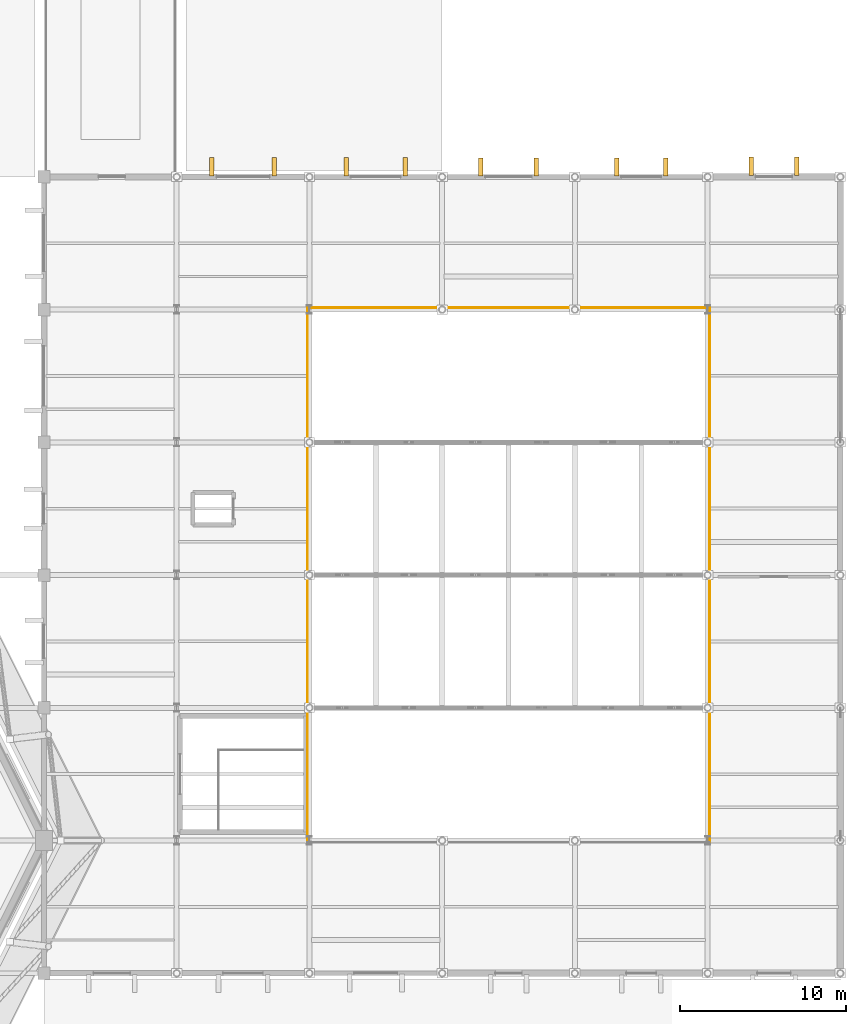
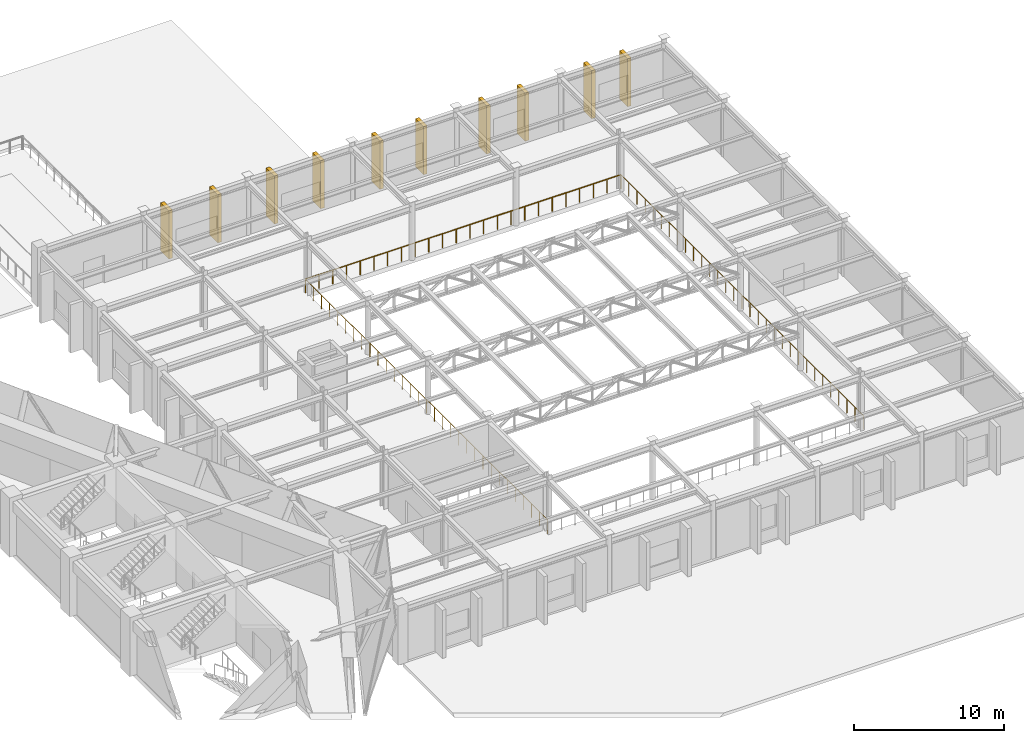
# One storey, part 46 of 46: 10 coverings, 3 railings.
"""IFC4 building model written with IfcOpenShell, lengths in metres."""

from ifc_helpers import new_model, si_unit, direction, frame, origin, origin_2d, place, context, subcontext, project, spatial, rectangle, circle, extrude, material, layer, layer_set, type_object, element, save


model = new_model("IFC4")

# Units and contexts
model_context = context("Model", 3, precision=1e-05, world=origin(), true_north=direction((0.0, 1.0)))
body_context = subcontext(model_context, "Body", "Model", "MODEL_VIEW")
ifc_project = project(units=[si_unit("LENGTHUNIT", "METRE"), si_unit("AREAUNIT", "SQUARE_METRE"), si_unit("VOLUMEUNIT", "CUBIC_METRE"), si_unit("PLANEANGLEUNIT", "RADIAN"), si_unit("MASSUNIT", "GRAM", prefix="KILO")], contexts=[model_context])

# Site, building, storey
site_placement = place(None, origin())
site = spatial("IfcSite", under=ifc_project, at=site_placement, CompositionType="ELEMENT")
building_placement = place(site_placement, origin())
building = spatial("IfcBuilding", under=site, at=building_placement, Name="Tazarka Park Arena", CompositionType="ELEMENT")
storey_placement = place(building_placement, frame((0.0, 0.0, 10.199951171875)))
storey = spatial("IfcBuildingStorey", under=building, at=storey_placement, Name="L02", CompositionType="ELEMENT", Elevation=10.199951171875)

# Coverings
ifc_material_1 = material(Name="Dark ribbed perforated bronze-charcoal aluminium mesh", Category="aluminium")
ifc_layer = layer(ifc_material_1, 0.06005859375, Name="Dark ribbed perforated bronze-charcoal aluminium mesh")
ifc_layer_set = layer_set([ifc_layer], Name="Dark ribbed perforated bronze-charcoal aluminium mesh")
covering_type = type_object("IfcCoveringType", Name="CLD-01", PredefinedType="CLADDING", material=ifc_layer_set)
for number, where, z_axis, x_axis, name in (
    (1, (178.6201171875, 104.639892578125, 0.0), (0.0, 0.0, 1.0), (1.0, 0.0, 0.0), "Window Reveal Brise-Soleil Fin L02-0046-1"),
    (2, (181.3798828125, 104.639892578125, 0.0), (0.0, 0.0, 1.0), (1.0, 0.0, 0.0), "Window Reveal Brise-Soleil Fin L02-0046-2"),
    (3, (170.52001953125, 104.590087890625, 0.0), (0.0, 0.0, 1.0), (1.0, 0.0, 0.0), "Window Reveal Brise-Soleil Fin L02-0047-1"),
    (4, (173.47998046875, 104.590087890625, 0.0), (0.0, 0.0, 1.0), (1.0, 0.0, 0.0), "Window Reveal Brise-Soleil Fin L02-0047-2"),
    (5, (162.320068359375, 104.594970703125, 0.0), (0.0, 0.0, 1.0), (1.0, 0.0, 0.0), "Window Reveal Brise-Soleil Fin L02-0048-1"),
    (6, (165.679931640625, 104.594970703125, 0.0), (0.0, 0.0, 1.0), (1.0, 0.0, 0.0), "Window Reveal Brise-Soleil Fin L02-0048-2"),
    (7, (154.219970703125, 104.60498046875, 0.0), (0.0, 0.0, 1.0), (1.0, 0.0, 0.0), "Window Reveal Brise-Soleil Fin L02-0049-1"),
    (8, (157.780029296875, 104.60498046875, 0.0), (0.0, 0.0, 1.0), (1.0, 0.0, 0.0), "Window Reveal Brise-Soleil Fin L02-0049-2"),
    (9, (146.1201171875, 104.614990234375, 0.0), (0.0, 0.0, 1.0), (1.0, 0.0, 0.0), "Window Reveal Brise-Soleil Fin L02-0050-1"),
    (10, (149.8798828125, 104.614990234375, 0.0), (0.0, 0.0, 1.0), (1.0, 0.0, 0.0), "Window Reveal Brise-Soleil Fin L02-0050-2"),
):
    element("IfcCovering", number, at=place(storey_placement, frame(where, z_axis=z_axis, x_axis=x_axis)), inside=storey, type_object=covering_type, Name=name, PredefinedType="CLADDING", context=body_context, shape_type="SweptSolid", body=[
        extrude(rectangle(XDim=0.280029296875, YDim=1.10009765625, at=origin_2d()), origin(), (0.0, 0.0, 1.0), 3.909912109375),
    ])

# Railings
ifc_material_2 = material(Name="Galvanised powder-coated architectural steel", Category="steel")
railing_type = type_object("IfcRailingType", Name="IGR-01", PredefinedType="GUARDRAIL", material=ifc_material_2)
railing_1_placement = place(storey_placement, frame((176.1201171875, 63.8798828125, 0.0)))
element("IfcRailing", 11, at=railing_1_placement, inside=storey, type_object=railing_type, Name="Interior Barrier Guardrail IGR-01-028", PredefinedType="GUARDRAIL", context=body_context, shape_type="SweptSolid", body=[
    extrude(circle(Radius=0.02392578125, at=origin_2d()), frame((0.0, 0.0, 1.1259765625), z_axis=(0.0, 1.0, 0.0), x_axis=(-1.0, 0.0, 0.0)), (0.0, 0.0, 1.0), 32.240234375),
    extrude(circle(Radius=0.02099609375, at=origin_2d()), origin(), (0.0, 0.0, 1.0), 1.101806640625),
    extrude(circle(Radius=0.02099609375, at=origin_2d()), frame((0.0, 1.07470703125, 0.0)), (0.0, 0.0, 1.0), 1.101806640625),
    extrude(circle(Radius=0.02099609375, at=origin_2d()), frame((0.0, 2.1494140625, 0.0)), (0.0, 0.0, 1.0), 1.101806640625),
    extrude(circle(Radius=0.02099609375, at=origin_2d()), frame((0.0, 3.22412109375, 0.0)), (0.0, 0.0, 1.0), 1.101806640625),
    extrude(circle(Radius=0.02099609375, at=origin_2d()), frame((0.0, 4.298583984375, 0.0)), (0.0, 0.0, 1.0), 1.101806640625),
    extrude(circle(Radius=0.02099609375, at=origin_2d()), frame((0.0, 5.373291015625, 0.0)), (0.0, 0.0, 1.0), 1.101806640625),
    extrude(circle(Radius=0.02099609375, at=origin_2d()), frame((0.0, 6.447998046875, 0.0)), (0.0, 0.0, 1.0), 1.101806640625),
    extrude(circle(Radius=0.02099609375, at=origin_2d()), frame((0.0, 7.522705078125, 0.0)), (0.0, 0.0, 1.0), 1.101806640625),
    extrude(circle(Radius=0.02099609375, at=origin_2d()), frame((0.0, 8.597412109375, 0.0)), (0.0, 0.0, 1.0), 1.101806640625),
    extrude(circle(Radius=0.02099609375, at=origin_2d()), frame((0.0, 9.672119140625, 0.0)), (0.0, 0.0, 1.0), 1.101806640625),
    extrude(circle(Radius=0.02099609375, at=origin_2d()), frame((0.0, 10.746826171875, 0.0)), (0.0, 0.0, 1.0), 1.101806640625),
    extrude(circle(Radius=0.02099609375, at=origin_2d()), frame((0.0, 11.821533203125, 0.0)), (0.0, 0.0, 1.0), 1.101806640625),
    extrude(circle(Radius=0.02099609375, at=origin_2d()), frame((0.0, 12.89599609375, 0.0)), (0.0, 0.0, 1.0), 1.101806640625),
    extrude(circle(Radius=0.02099609375, at=origin_2d()), frame((0.0, 13.970703125, 0.0)), (0.0, 0.0, 1.0), 1.101806640625),
    extrude(circle(Radius=0.02099609375, at=origin_2d()), frame((0.0, 15.04541015625, 0.0)), (0.0, 0.0, 1.0), 1.101806640625),
    extrude(circle(Radius=0.02099609375, at=origin_2d()), frame((0.0, 16.1201171875, 0.0)), (0.0, 0.0, 1.0), 1.101806640625),
    extrude(circle(Radius=0.02099609375, at=origin_2d()), frame((0.0, 17.19482421875, 0.0)), (0.0, 0.0, 1.0), 1.101806640625),
    extrude(circle(Radius=0.02099609375, at=origin_2d()), frame((0.0, 18.26953125, 0.0)), (0.0, 0.0, 1.0), 1.101806640625),
    extrude(circle(Radius=0.02099609375, at=origin_2d()), frame((0.0, 19.34423828125, 0.0)), (0.0, 0.0, 1.0), 1.101806640625),
    extrude(circle(Radius=0.02099609375, at=origin_2d()), frame((0.0, 20.418701171875, 0.0)), (0.0, 0.0, 1.0), 1.101806640625),
    extrude(circle(Radius=0.02099609375, at=origin_2d()), frame((0.0, 21.493408203125, 0.0)), (0.0, 0.0, 1.0), 1.101806640625),
    extrude(circle(Radius=0.02099609375, at=origin_2d()), frame((0.0, 22.568115234375, 0.0)), (0.0, 0.0, 1.0), 1.101806640625),
    extrude(circle(Radius=0.02099609375, at=origin_2d()), frame((0.0, 23.642822265625, 0.0)), (0.0, 0.0, 1.0), 1.101806640625),
    extrude(circle(Radius=0.02099609375, at=origin_2d()), frame((0.0, 24.717529296875, 0.0)), (0.0, 0.0, 1.0), 1.101806640625),
    extrude(circle(Radius=0.02099609375, at=origin_2d()), frame((0.0, 25.792236328125, 0.0)), (0.0, 0.0, 1.0), 1.101806640625),
    extrude(circle(Radius=0.02099609375, at=origin_2d()), frame((0.0, 26.866943359375, 0.0)), (0.0, 0.0, 1.0), 1.101806640625),
    extrude(circle(Radius=0.02099609375, at=origin_2d()), frame((0.0, 27.941650390625, 0.0)), (0.0, 0.0, 1.0), 1.101806640625),
    extrude(circle(Radius=0.02099609375, at=origin_2d()), frame((0.0, 29.01611328125, 0.0)), (0.0, 0.0, 1.0), 1.101806640625),
    extrude(circle(Radius=0.02099609375, at=origin_2d()), frame((0.0, 30.0908203125, 0.0)), (0.0, 0.0, 1.0), 1.101806640625),
    extrude(circle(Radius=0.02099609375, at=origin_2d()), frame((0.0, 31.16552734375, 0.0)), (0.0, 0.0, 1.0), 1.101806640625),
    extrude(circle(Radius=0.02099609375, at=origin_2d()), frame((0.0, 32.240234375, 0.0)), (0.0, 0.0, 1.0), 1.101806640625),
])
railing_2_placement = place(storey_placement, frame((176.1201171875, 96.1201171875, 0.0)))
element("IfcRailing", 12, at=railing_2_placement, inside=storey, type_object=railing_type, Name="Interior Barrier Guardrail IGR-01-029", PredefinedType="GUARDRAIL", context=body_context, shape_type="SweptSolid", body=[
    extrude(circle(Radius=0.02392578125, at=origin_2d()), frame((0.0, 0.0, 1.1259765625), z_axis=(-1.0, 0.0, 0.0), x_axis=(0.0, -1.0, 0.0)), (0.0, 0.0, 1.0), 24.240234375),
    extrude(circle(Radius=0.02099609375, at=origin_2d()), origin(), (0.0, 0.0, 1.0), 1.101806640625),
    extrude(circle(Radius=0.02099609375, at=origin_2d()), frame((-1.053955078125, 0.0, 0.0)), (0.0, 0.0, 1.0), 1.101806640625),
    extrude(circle(Radius=0.02099609375, at=origin_2d()), frame((-2.10791015625, 0.0, 0.0)), (0.0, 0.0, 1.0), 1.101806640625),
    extrude(circle(Radius=0.02099609375, at=origin_2d()), frame((-3.161865234375, 0.0, 0.0)), (0.0, 0.0, 1.0), 1.101806640625),
    extrude(circle(Radius=0.02099609375, at=origin_2d()), frame((-4.215576171875, 0.0, 0.0)), (0.0, 0.0, 1.0), 1.101806640625),
    extrude(circle(Radius=0.02099609375, at=origin_2d()), frame((-5.26953125, 0.0, 0.0)), (0.0, 0.0, 1.0), 1.101806640625),
    extrude(circle(Radius=0.02099609375, at=origin_2d()), frame((-6.323486328125, 0.0, 0.0)), (0.0, 0.0, 1.0), 1.101806640625),
    extrude(circle(Radius=0.02099609375, at=origin_2d()), frame((-7.37744140625, 0.0, 0.0)), (0.0, 0.0, 1.0), 1.101806640625),
    extrude(circle(Radius=0.02099609375, at=origin_2d()), frame((-8.431396484375, 0.0, 0.0)), (0.0, 0.0, 1.0), 1.101806640625),
    extrude(circle(Radius=0.02099609375, at=origin_2d()), frame((-9.4853515625, 0.0, 0.0)), (0.0, 0.0, 1.0), 1.101806640625),
    extrude(circle(Radius=0.02099609375, at=origin_2d()), frame((-10.539306640625, 0.0, 0.0)), (0.0, 0.0, 1.0), 1.101806640625),
    extrude(circle(Radius=0.02099609375, at=origin_2d()), frame((-11.59326171875, 0.0, 0.0)), (0.0, 0.0, 1.0), 1.101806640625),
    extrude(circle(Radius=0.02099609375, at=origin_2d()), frame((-12.64697265625, 0.0, 0.0)), (0.0, 0.0, 1.0), 1.101806640625),
    extrude(circle(Radius=0.02099609375, at=origin_2d()), frame((-13.700927734375, 0.0, 0.0)), (0.0, 0.0, 1.0), 1.101806640625),
    extrude(circle(Radius=0.02099609375, at=origin_2d()), frame((-14.7548828125, 0.0, 0.0)), (0.0, 0.0, 1.0), 1.101806640625),
    extrude(circle(Radius=0.02099609375, at=origin_2d()), frame((-15.808837890625, 0.0, 0.0)), (0.0, 0.0, 1.0), 1.101806640625),
    extrude(circle(Radius=0.02099609375, at=origin_2d()), frame((-16.86279296875, 0.0, 0.0)), (0.0, 0.0, 1.0), 1.101806640625),
    extrude(circle(Radius=0.02099609375, at=origin_2d()), frame((-17.916748046875, 0.0, 0.0)), (0.0, 0.0, 1.0), 1.101806640625),
    extrude(circle(Radius=0.02099609375, at=origin_2d()), frame((-18.970703125, 0.0, 0.0)), (0.0, 0.0, 1.0), 1.101806640625),
    extrude(circle(Radius=0.02099609375, at=origin_2d()), frame((-20.024658203125, 0.0, 0.0)), (0.0, 0.0, 1.0), 1.101806640625),
    extrude(circle(Radius=0.02099609375, at=origin_2d()), frame((-21.078369140625, 0.0, 0.0)), (0.0, 0.0, 1.0), 1.101806640625),
    extrude(circle(Radius=0.02099609375, at=origin_2d()), frame((-22.13232421875, 0.0, 0.0)), (0.0, 0.0, 1.0), 1.101806640625),
    extrude(circle(Radius=0.02099609375, at=origin_2d()), frame((-23.186279296875, 0.0, 0.0)), (0.0, 0.0, 1.0), 1.101806640625),
    extrude(circle(Radius=0.02099609375, at=origin_2d()), frame((-24.240234375, 0.0, 0.0)), (0.0, 0.0, 1.0), 1.101806640625),
])
railing_3_placement = place(storey_placement, frame((151.8798828125, 96.1201171875, 0.0)))
element("IfcRailing", 13, at=railing_3_placement, inside=storey, type_object=railing_type, Name="Interior Barrier Guardrail IGR-01-030", PredefinedType="GUARDRAIL", context=body_context, shape_type="SweptSolid", body=[
    extrude(circle(Radius=0.02392578125, at=origin_2d()), frame((0.0, 0.0, 1.1259765625), z_axis=(0.0, -1.0, 0.0), x_axis=(1.0, 0.0, 0.0)), (0.0, 0.0, 1.0), 32.240234375),
    extrude(circle(Radius=0.02099609375, at=origin_2d()), origin(), (0.0, 0.0, 1.0), 1.101806640625),
    extrude(circle(Radius=0.02099609375, at=origin_2d()), frame((0.0, -1.07470703125, 0.0)), (0.0, 0.0, 1.0), 1.101806640625),
    extrude(circle(Radius=0.02099609375, at=origin_2d()), frame((0.0, -2.1494140625, 0.0)), (0.0, 0.0, 1.0), 1.101806640625),
    extrude(circle(Radius=0.02099609375, at=origin_2d()), frame((0.0, -3.22412109375, 0.0)), (0.0, 0.0, 1.0), 1.101806640625),
    extrude(circle(Radius=0.02099609375, at=origin_2d()), frame((0.0, -4.298583984375, 0.0)), (0.0, 0.0, 1.0), 1.101806640625),
    extrude(circle(Radius=0.02099609375, at=origin_2d()), frame((0.0, -5.373291015625, 0.0)), (0.0, 0.0, 1.0), 1.101806640625),
    extrude(circle(Radius=0.02099609375, at=origin_2d()), frame((0.0, -6.447998046875, 0.0)), (0.0, 0.0, 1.0), 1.101806640625),
    extrude(circle(Radius=0.02099609375, at=origin_2d()), frame((0.0, -7.522705078125, 0.0)), (0.0, 0.0, 1.0), 1.101806640625),
    extrude(circle(Radius=0.02099609375, at=origin_2d()), frame((0.0, -8.597412109375, 0.0)), (0.0, 0.0, 1.0), 1.101806640625),
    extrude(circle(Radius=0.02099609375, at=origin_2d()), frame((0.0, -9.672119140625, 0.0)), (0.0, 0.0, 1.0), 1.101806640625),
    extrude(circle(Radius=0.02099609375, at=origin_2d()), frame((0.0, -10.746826171875, 0.0)), (0.0, 0.0, 1.0), 1.101806640625),
    extrude(circle(Radius=0.02099609375, at=origin_2d()), frame((0.0, -11.821533203125, 0.0)), (0.0, 0.0, 1.0), 1.101806640625),
    extrude(circle(Radius=0.02099609375, at=origin_2d()), frame((0.0, -12.89599609375, 0.0)), (0.0, 0.0, 1.0), 1.101806640625),
    extrude(circle(Radius=0.02099609375, at=origin_2d()), frame((0.0, -13.970703125, 0.0)), (0.0, 0.0, 1.0), 1.101806640625),
    extrude(circle(Radius=0.02099609375, at=origin_2d()), frame((0.0, -15.04541015625, 0.0)), (0.0, 0.0, 1.0), 1.101806640625),
    extrude(circle(Radius=0.02099609375, at=origin_2d()), frame((0.0, -16.1201171875, 0.0)), (0.0, 0.0, 1.0), 1.101806640625),
    extrude(circle(Radius=0.02099609375, at=origin_2d()), frame((0.0, -17.19482421875, 0.0)), (0.0, 0.0, 1.0), 1.101806640625),
    extrude(circle(Radius=0.02099609375, at=origin_2d()), frame((0.0, -18.26953125, 0.0)), (0.0, 0.0, 1.0), 1.101806640625),
    extrude(circle(Radius=0.02099609375, at=origin_2d()), frame((0.0, -19.34423828125, 0.0)), (0.0, 0.0, 1.0), 1.101806640625),
    extrude(circle(Radius=0.02099609375, at=origin_2d()), frame((0.0, -20.418701171875, 0.0)), (0.0, 0.0, 1.0), 1.101806640625),
    extrude(circle(Radius=0.02099609375, at=origin_2d()), frame((0.0, -21.493408203125, 0.0)), (0.0, 0.0, 1.0), 1.101806640625),
    extrude(circle(Radius=0.02099609375, at=origin_2d()), frame((0.0, -22.568115234375, 0.0)), (0.0, 0.0, 1.0), 1.101806640625),
    extrude(circle(Radius=0.02099609375, at=origin_2d()), frame((0.0, -23.642822265625, 0.0)), (0.0, 0.0, 1.0), 1.101806640625),
    extrude(circle(Radius=0.02099609375, at=origin_2d()), frame((0.0, -24.717529296875, 0.0)), (0.0, 0.0, 1.0), 1.101806640625),
    extrude(circle(Radius=0.02099609375, at=origin_2d()), frame((0.0, -25.792236328125, 0.0)), (0.0, 0.0, 1.0), 1.101806640625),
    extrude(circle(Radius=0.02099609375, at=origin_2d()), frame((0.0, -26.866943359375, 0.0)), (0.0, 0.0, 1.0), 1.101806640625),
    extrude(circle(Radius=0.02099609375, at=origin_2d()), frame((0.0, -27.941650390625, 0.0)), (0.0, 0.0, 1.0), 1.101806640625),
    extrude(circle(Radius=0.02099609375, at=origin_2d()), frame((0.0, -29.01611328125, 0.0)), (0.0, 0.0, 1.0), 1.101806640625),
    extrude(circle(Radius=0.02099609375, at=origin_2d()), frame((0.0, -30.0908203125, 0.0)), (0.0, 0.0, 1.0), 1.101806640625),
    extrude(circle(Radius=0.02099609375, at=origin_2d()), frame((0.0, -31.16552734375, 0.0)), (0.0, 0.0, 1.0), 1.101806640625),
    extrude(circle(Radius=0.02099609375, at=origin_2d()), frame((0.0, -32.240234375, 0.0)), (0.0, 0.0, 1.0), 1.101806640625),
])

save(model, "model.ifc")
